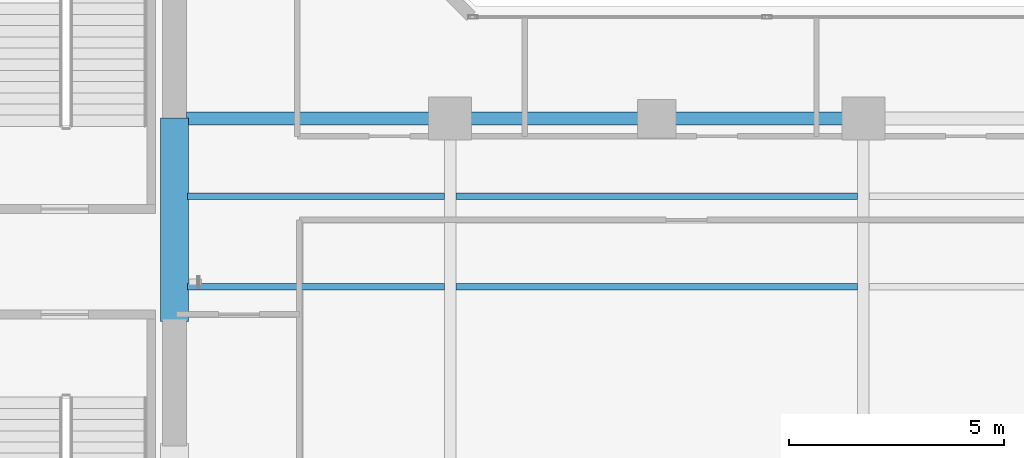
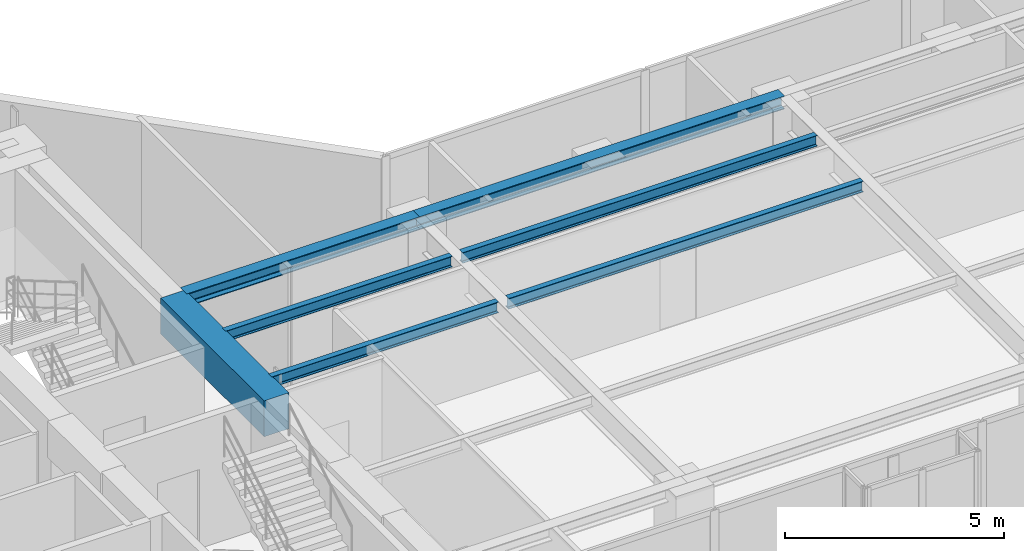
# One storey, part 6 of 23: 7 beams.
"""IFC4 building model written with IfcOpenShell, lengths in metres."""

from ifc_helpers import new_model, si_unit, direction, frame, origin, origin_2d, place, context, subcontext, project, spatial, rectangle, i_section, extrude, material, material_profile, profile_set, type_object, element, save


model = new_model("IFC4")

# Units and contexts
model_context = context("Model", 3, precision=1e-05, world=origin(), true_north=direction((0.0, 1.0)))
body_context = subcontext(model_context, "Body", "Model", "MODEL_VIEW")
ifc_project = project(units=[si_unit("LENGTHUNIT", "METRE"), si_unit("AREAUNIT", "SQUARE_METRE"), si_unit("VOLUMEUNIT", "CUBIC_METRE"), si_unit("PLANEANGLEUNIT", "RADIAN"), si_unit("MASSUNIT", "GRAM", prefix="KILO")], contexts=[model_context])

# Site, building, storey
site_placement = place(None, origin())
site = spatial("IfcSite", under=ifc_project, at=site_placement, CompositionType="ELEMENT")
building_placement = place(site_placement, origin())
building = spatial("IfcBuilding", under=site, at=building_placement, Name="Kolvaren Waterfront Exchange", CompositionType="ELEMENT")
storey_placement = place(building_placement, frame((0.0, 0.0, 250.10009765625)))
storey = spatial("IfcBuildingStorey", under=building, at=storey_placement, Name="L64", CompositionType="ELEMENT", Elevation=250.10009765625)

# Beams
ifc_material_1 = material(Name="Steel S355", Category="steel")
ifc_material_profile_1 = material_profile(ifc_material_1, i_section(OverallWidth=0.300048828125, OverallDepth=0.360107421875, WebThickness=0.012451171875, FlangeThickness=0.0224609375, FilletRadius=0.027099609375, at=origin_2d()), Name="HEB360")
ifc_profile_set_1 = profile_set([ifc_material_profile_1], Name="Steel S355")
beam_type_1 = type_object("IfcBeamType", Name="STR-BM-HEB360", PredefinedType="SPANDREL", material=ifc_profile_set_1)
beam_1_placement = place(storey_placement, frame((21.074951171875, 17.39990234375, 3.3798828125), z_axis=(1.0, 0.0, 0.0), x_axis=(0.0, 1.0, 0.0)))
element("IfcBeam", 1, at=beam_1_placement, inside=storey, type_object=beam_type_1, Name="L64 east-arm spandrel N1", PredefinedType="SPANDREL", context=body_context, shape_type="SweptSolid", body=[
    extrude(i_section(OverallWidth=0.300048828125, OverallDepth=0.360107421875, WebThickness=0.012451171875, FlangeThickness=0.0224609375, FilletRadius=0.027099609375, at=origin_2d()), origin(), (0.0, 0.0, 1.0), 6.125),
])
beam_2_placement = place(storey_placement, frame((27.199951171875, 17.39990234375, 3.3798828125), z_axis=(1.0, 0.0, 0.0), x_axis=(0.0, 1.0, 0.0)))
element("IfcBeam", 2, at=beam_2_placement, inside=storey, type_object=beam_type_1, Name="L64 east-arm spandrel N2", PredefinedType="SPANDREL", context=body_context, shape_type="SweptSolid", body=[
    extrude(i_section(OverallWidth=0.300048828125, OverallDepth=0.360107421875, WebThickness=0.012451171875, FlangeThickness=0.0224609375, FilletRadius=0.027099609375, at=origin_2d()), origin(), (0.0, 0.0, 1.0), 9.60009765625),
])
ifc_material_profile_2 = material_profile(ifc_material_1, i_section(OverallWidth=0.14990234375, OverallDepth=0.300048828125, WebThickness=0.007080078125, FlangeThickness=0.0107421875, FilletRadius=0.014892578125, at=origin_2d()), Name="IPE300")
ifc_profile_set_2 = profile_set([ifc_material_profile_2], Name="Steel S355")
beam_type_2 = type_object("IfcBeamType", Name="STR-BM-IPE300", PredefinedType="JOIST", material=ifc_profile_set_2)
for number, where, z_axis, x_axis, name in (
    (3, (21.10009765625, 13.5, 3.409912109375), (1.0, 0.0, 0.0), (0.0, 1.0, 0.0), "L64 east-arm composite joist 1A"),
    (4, (21.10009765625, 15.60009765625, 3.409912109375), (1.0, 0.0, 0.0), (0.0, 1.0, 0.0), "L64 east-arm composite joist 1C"),
):
    element("IfcBeam", number, at=place(storey_placement, frame(where, z_axis=z_axis, x_axis=x_axis)), inside=storey, type_object=beam_type_2, Name=name, PredefinedType="JOIST", context=body_context, shape_type="SweptSolid", body=[
        extrude(i_section(OverallWidth=0.14990234375, OverallDepth=0.300048828125, WebThickness=0.007080078125, FlangeThickness=0.0107421875, FilletRadius=0.014892578125, at=origin_2d()), origin(), (0.0, 0.0, 1.0), 5.96435546875),
    ])
for number, where, z_axis, x_axis, name in (
    (5, (27.33544921875, 13.5, 3.409912109375), (1.0, 0.0, 0.0), (0.0, 1.0, 0.0), "L64 east-arm composite joist 2A"),
    (6, (27.33544921875, 15.60009765625, 3.409912109375), (1.0, 0.0, 0.0), (0.0, 1.0, 0.0), "L64 east-arm composite joist 2C"),
):
    element("IfcBeam", number, at=place(storey_placement, frame(where, z_axis=z_axis, x_axis=x_axis)), inside=storey, type_object=beam_type_2, Name=name, PredefinedType="JOIST", context=body_context, shape_type="SweptSolid", body=[
        extrude(i_section(OverallWidth=0.14990234375, OverallDepth=0.300048828125, WebThickness=0.007080078125, FlangeThickness=0.0107421875, FilletRadius=0.014892578125, at=origin_2d()), origin(), (0.0, 0.0, 1.0), 9.3291015625),
    ])
ifc_material_2 = material(Name="Concrete C60/75", Category="concrete")
ifc_material_profile_3 = material_profile(ifc_material_2, rectangle(XDim=0.64990234375, YDim=1.0, at=origin_2d()), Name="RC-CB-1000x650")
ifc_profile_set_3 = profile_set([ifc_material_profile_3], Name="Concrete C60/75")
beam_type_3 = type_object("IfcBeamType", Name="STR-CB-1000", PredefinedType="SPANDREL", material=ifc_profile_set_3)
beam_3_placement = place(storey_placement, frame((20.800048828125, 12.68994140625, 3.059814453125), z_axis=(0.0, 1.0, 0.0), x_axis=(-1.0, 0.0, 0.0)))
element("IfcBeam", 7, at=beam_3_placement, inside=storey, type_object=beam_type_3, Name="L64 core coupling beam 2", PredefinedType="SPANDREL", context=body_context, shape_type="SweptSolid", body=[
    extrude(rectangle(XDim=0.64990234375, YDim=1.0, at=origin_2d()), origin(), (0.0, 0.0, 1.0), 4.719970703125),
])

save(model, "model.ifc")
